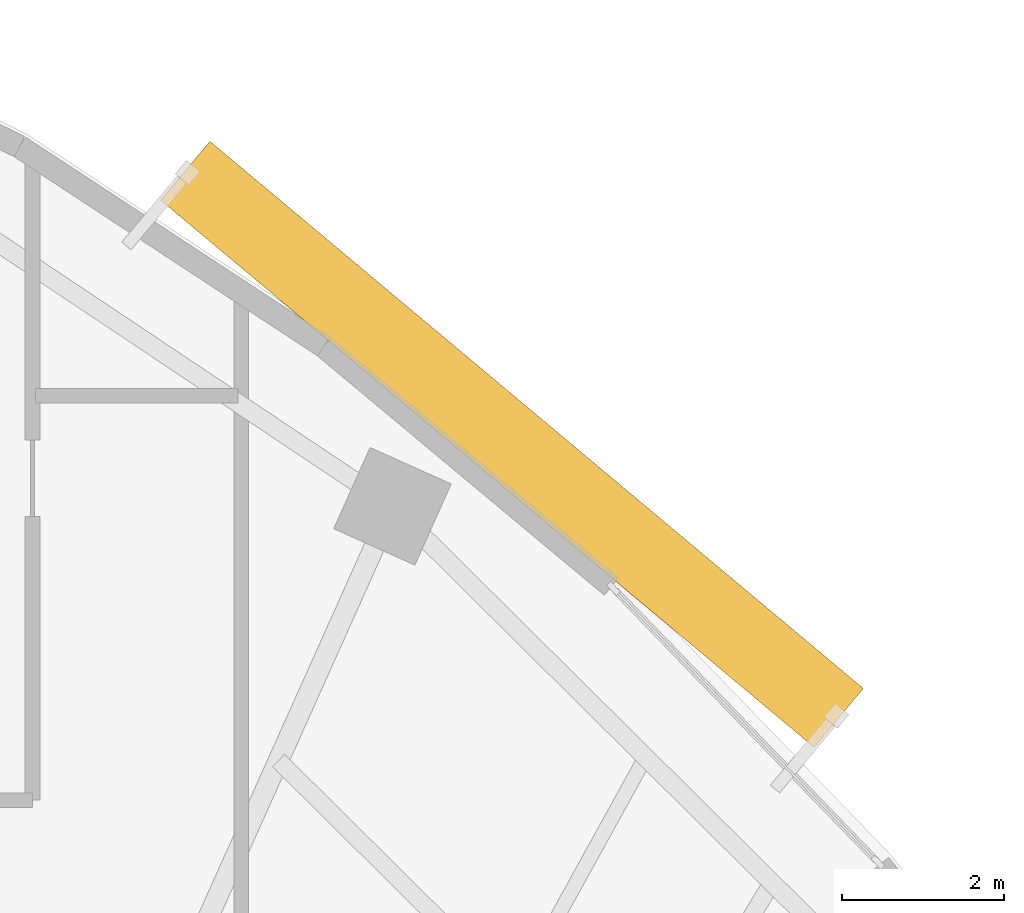
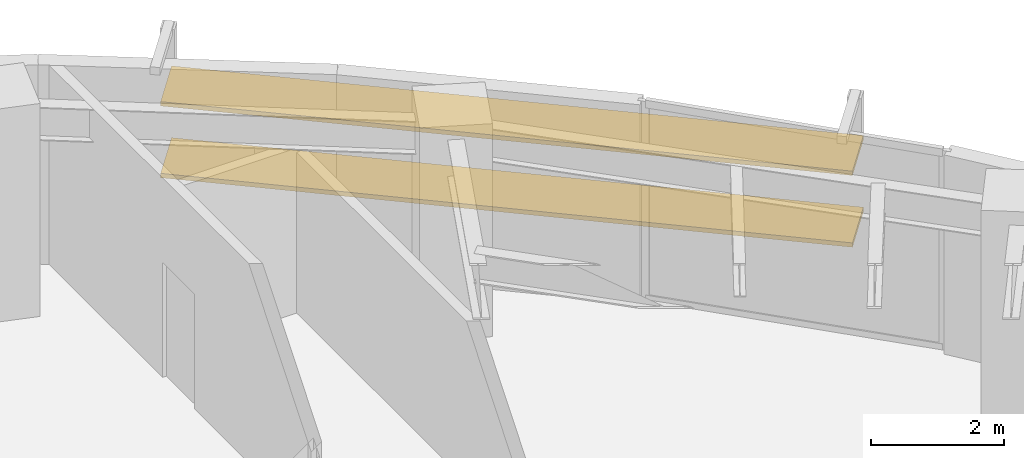
# One storey, part 13 of 13: 2 shading devices.
"""IFC4 building model written with IfcOpenShell, lengths in metres."""

from ifc_helpers import new_model, si_unit, direction, frame, origin, origin_2d, place, context, subcontext, project, spatial, rectangle, extrude, source, transform, mapped, material, material_profile, profile_set, type_object, element, save


model = new_model("IFC4")

# Units and contexts
model_context = context("Model", 3, precision=1e-05, world=origin(), true_north=direction((0.0, 1.0)))
body_context = subcontext(model_context, "Body", "Model", "MODEL_VIEW")
ifc_project = project(units=[si_unit("LENGTHUNIT", "METRE"), si_unit("AREAUNIT", "SQUARE_METRE"), si_unit("VOLUMEUNIT", "CUBIC_METRE"), si_unit("PLANEANGLEUNIT", "RADIAN"), si_unit("MASSUNIT", "GRAM", prefix="KILO")], contexts=[model_context])

# Site, building, storey
site_placement = place(None, origin())
site = spatial("IfcSite", under=ifc_project, at=site_placement, CompositionType="ELEMENT")
building_placement = place(site_placement, origin())
building = spatial("IfcBuilding", under=site, at=building_placement, Name="Breltana Convention Tower", CompositionType="ELEMENT")
storey_placement = place(building_placement, frame((0.0, 0.0, 170.10009765625)))
storey = spatial("IfcBuildingStorey", under=building, at=storey_placement, Name="L41", CompositionType="ELEMENT", Elevation=170.10009765625)

# Shading devices
ifc_material = material(Name="Limestone Warm Buff Honed", Category="masonry")
ifc_material_profile = material_profile(ifc_material, rectangle(XDim=0.949951171875, YDim=0.080078125, at=origin_2d()), Name="STN-LVR-950X80")
ifc_profile_set = profile_set([ifc_material_profile], Name="Limestone Warm Buff Honed")
shading_device_type = type_object("IfcShadingDeviceType", Name="SHD-OUTER-SKIN-LIMESTONE-950", PredefinedType="JALOUSIE", material=ifc_profile_set)
shared_shape = source(origin(), body_context, "Body", "SweptSolid", [
    extrude(rectangle(XDim=0.949951171875, YDim=0.080078125, at=origin_2d()), origin(), (0.0, 0.0, 1.0), 10.538330078125),
])
for number, where, z_axis, x_axis, name in (
    (1, (66.34814453125, 72.782958984375, 1.31396484375), (0.766705694316, -0.641998736996, 0.0), (0.641998736996, 0.766705694316, 0.0), "L41 outer skin warm limestone louvre 2.1"),
    (2, (66.34814453125, 72.782958984375, 2.6279296875), (0.766705694316, -0.641998736996, 0.0), (0.641998736996, 0.766705694316, 0.0), "L41 outer skin warm limestone louvre 2.2"),
):
    element("IfcShadingDevice", number, at=place(storey_placement, frame(where, z_axis=z_axis, x_axis=x_axis)), inside=storey, type_object=shading_device_type, Name=name, PredefinedType="JALOUSIE", context=body_context, shape_type="MappedRepresentation", body=[
        mapped(shared_shape, transform((0.0, 0.0, 0.0), scale=1.0)),
    ])

save(model, "model.ifc")
